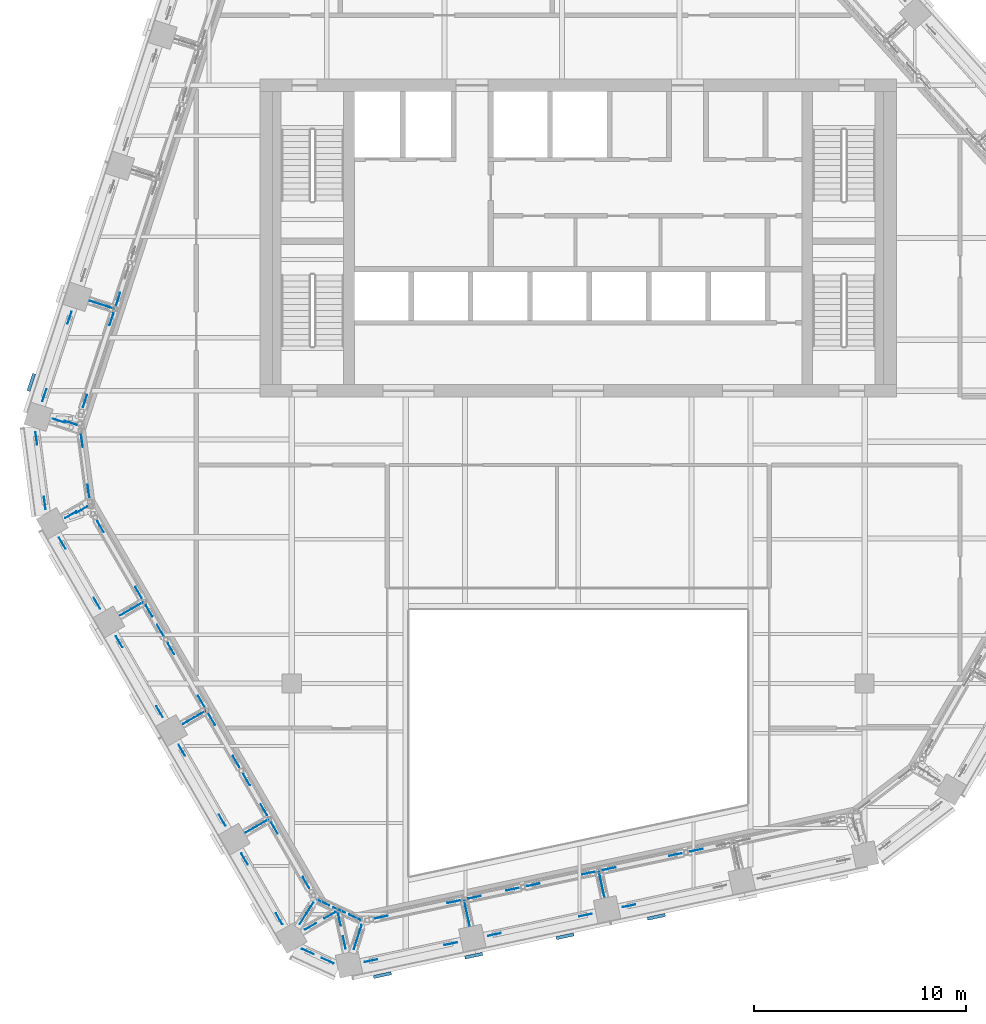
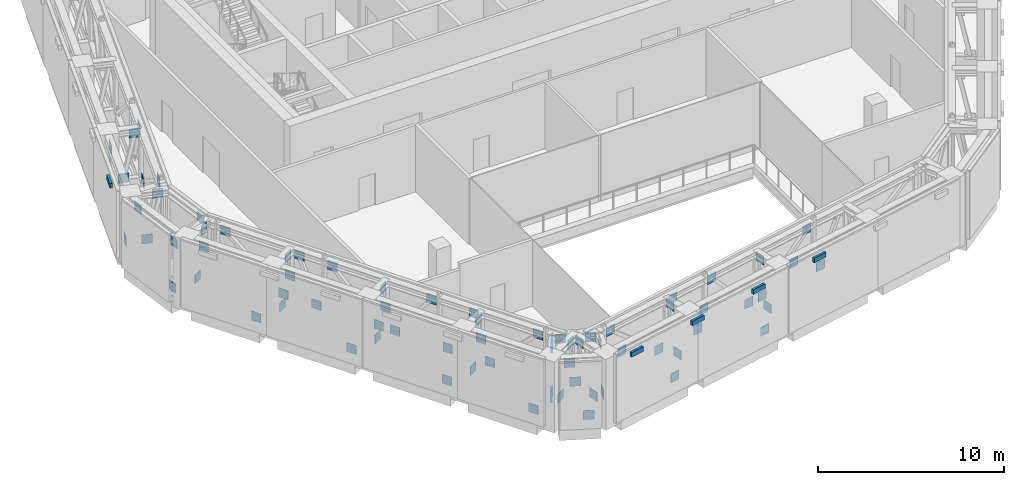
# One storey, part 20 of 25: 77 discrete accessories.
"""IFC4 building model written with IfcOpenShell, lengths in metres."""

from ifc_helpers import new_model, si_unit, direction, frame, origin, origin_2d, place, context, subcontext, project, spatial, rectangle, extrude, material, type_object, element, save


model = new_model("IFC4")

# Units and contexts
model_context = context("Model", 3, precision=1e-05, world=origin(), true_north=direction((0.0, 1.0)))
body_context = subcontext(model_context, "Body", "Model", "MODEL_VIEW")
ifc_project = project(units=[si_unit("LENGTHUNIT", "METRE"), si_unit("AREAUNIT", "SQUARE_METRE"), si_unit("VOLUMEUNIT", "CUBIC_METRE"), si_unit("PLANEANGLEUNIT", "RADIAN"), si_unit("MASSUNIT", "GRAM", prefix="KILO")], contexts=[model_context])

# Site, building, storey
site_placement = place(None, origin())
site = spatial("IfcSite", under=ifc_project, at=site_placement, CompositionType="ELEMENT")
building_placement = place(site_placement, origin())
building = spatial("IfcBuilding", under=site, at=building_placement, Name="Isthmus Gate Tower", CompositionType="ELEMENT")
storey_placement = place(building_placement, frame((0.0, 0.0, 256.449951171875)))
storey = spatial("IfcBuildingStorey", under=building, at=storey_placement, Name="L65", CompositionType="ELEMENT", Elevation=256.449951171875)

# Discrete accessories
ifc_material_1 = material(Name="Structural steel ASTM A572 Gr 50, white paint system", Category="steel")
discrete_accessory_type_1 = type_object("IfcDiscreteAccessoryType", Name="FIN BRACKET 855 X 150 X 300", PredefinedType="BRACKET", material=ifc_material_1)
for number, where, z_axis, x_axis, name in (
    (1, (-25.777099609375, 0.68994140625, 3.9501953125), (0.0, 0.0, 1.0), (-0.951056516295, 0.309016994375, 0.0), "FIN BRACKET"),
    (2, (-9.228271484375, -27.24267578125, 3.9501953125), (0.0, 0.0, 1.0), (0.207911690818, -0.978147600734, 0.0), "FIN BRACKET"),
    (3, (-4.92431640625, -26.327880859375, 3.9501953125), (0.0, 0.0, 1.0), (0.207911690818, -0.978147600734, 0.0), "FIN BRACKET"),
    (4, (-0.62060546875, -25.4130859375, 3.9501953125), (0.0, 0.0, 1.0), (0.207911690818, -0.978147600734, 0.0), "FIN BRACKET"),
    (5, (3.683349609375, -24.498291015625, 3.9501953125), (0.0, 0.0, 1.0), (0.207911690818, -0.978147600734, 0.0), "FIN BRACKET"),
):
    element("IfcDiscreteAccessory", number, at=place(storey_placement, frame(where, z_axis=z_axis, x_axis=x_axis)), inside=storey, type_object=discrete_accessory_type_1, Name=name, PredefinedType="BRACKET", context=body_context, shape_type="SweptSolid", body=[
        extrude(rectangle(XDim=0.14990234375, YDim=0.854736328125, at=origin_2d()), origin(), (0.0, 0.0, 1.0), 0.300048828125),
    ])
ifc_material_2 = material(Name="Structural steel ASTM A992 Gr 50", Category="steel")
discrete_accessory_type_2 = type_object("IfcDiscreteAccessoryType", Name="GUSSET PLATE 600 X 20", PredefinedType="USERDEFINED", material=ifc_material_2)
for number, where, z_axis, x_axis, name in (
    (6, (2.397216796875, -23.979248046875, 3.60546875), (0.0, 0.0, 1.0), (-0.978147600734, -0.207911690818, 0.0), "GUSSET PLATE"),
    (7, (0.34326171875, -24.415771484375, 0.14453125), (0.0, 0.0, 1.0), (-0.978147600734, -0.207911690818, 0.0), "GUSSET PLATE"),
    (8, (-3.95263671875, -25.3291015625, 3.60546875), (0.0, 0.0, 1.0), (-0.978147600734, -0.207911690818, 0.0), "GUSSET PLATE"),
    (9, (-6.0068359375, -25.765625, 0.14453125), (0.0, 0.0, 1.0), (-0.978147600734, -0.207911690818, 0.0), "GUSSET PLATE"),
    (10, (-9.764892578125, -26.564453125, 3.60546875), (0.0, 0.0, 1.0), (-0.978147600734, -0.207911690818, 0.0), "GUSSET PLATE"),
    (11, (-11.809326171875, -26.564453125, 0.14453125), (0.0, 0.0, 1.0), (-0.907256261367, 0.420578264073, 0.0), "GUSSET PLATE"),
    (12, (-12.741943359375, -26.13232421875, 3.60546875), (0.0, 0.0, 1.0), (-0.907256261367, 0.420578264073, 0.0), "GUSSET PLATE"),
    (13, (-14.092041015625, -24.592041015625, 0.14453125), (0.0, 0.0, 1.0), (-0.5, 0.866025403784, 0.0), "GUSSET PLATE"),
    (14, (-15.72216796875, -21.768310546875, 3.60546875), (0.0, 0.0, 1.0), (-0.5, 0.866025403784, 0.0), "GUSSET PLATE"),
    (15, (-16.772216796875, -19.949462890625, 0.14453125), (0.0, 0.0, 1.0), (-0.5, 0.866025403784, 0.0), "GUSSET PLATE"),
    (16, (-18.677490234375, -16.6494140625, 3.60546875), (0.0, 0.0, 1.0), (-0.5, 0.866025403784, 0.0), "GUSSET PLATE"),
    (17, (-19.7275390625, -14.830810546875, 0.14453125), (0.0, 0.0, 1.0), (-0.5, 0.866025403784, 0.0), "GUSSET PLATE"),
    (18, (-21.6328125, -11.53076171875, 3.60546875), (0.0, 0.0, 1.0), (-0.5, 0.866025403784, 0.0), "GUSSET PLATE"),
    (19, (-22.682861328125, -9.712158203125, 0.14453125), (0.0, 0.0, 1.0), (-0.5, 0.866025403784, 0.0), "GUSSET PLATE"),
    (20, (-24.313232421875, -6.888427734375, 3.60546875), (0.0, 0.0, 1.0), (-0.5, 0.866025403784, 0.0), "GUSSET PLATE"),
    (21, (-25.141845703125, -4.986083984375, 0.14453125), (0.0, 0.0, 1.0), (-0.129164534, 0.991623175988, 0.0), "GUSSET PLATE"),
    (22, (-25.537353515625, -1.948486328125, 3.60546875), (0.0, 0.0, 1.0), (-0.129164534, 0.991623175988, 0.0), "GUSSET PLATE"),
    (23, (-25.15869140625, 0.08544921875, 0.14453125), (0.0, 0.0, 1.0), (0.309016994375, 0.951056516295, 0.0), "GUSSET PLATE"),
    (24, (-23.971435546875, 3.739501953125, 3.60546875), (0.0, 0.0, 1.0), (0.309016994375, 0.951056516295, 0.0), "GUSSET PLATE"),
    (25, (-22.740478515625, 4.443359375, 0.68115234375), (0.0, 0.0, 1.0), (0.951056516295, -0.309016994375, 0.0), "GUSSET PLATE"),
    (26, (-22.169921875, 4.258056640625, 3.543701171875), (0.0, 0.0, 1.0), (0.951056516295, -0.309016994375, 0.0), "GUSSET PLATE"),
    (27, (-24.485595703125, -1.114013671875, 0.68115234375), (0.0, 0.0, 1.0), (0.951056516295, -0.309016994375, 0.0), "GUSSET PLATE"),
    (28, (-23.9111328125, -1.22412109375, 3.543701171875), (0.0, 0.0, 1.0), (0.951056516295, -0.309016994375, 0.0), "GUSSET PLATE"),
    (29, (-23.914794921875, -5.550537109375, 0.68115234375), (0.0, 0.0, 1.0), (0.866025403784, 0.5, 0.0), "GUSSET PLATE"),
    (30, (-23.40234375, -5.313720703125, 3.543701171875), (0.0, 0.0, 1.0), (0.866025403784, 0.5, 0.0), "GUSSET PLATE"),
    (31, (-21.3134765625, -10.134033203125, 0.68115234375), (0.0, 0.0, 1.0), (0.866025403784, 0.5, 0.0), "GUSSET PLATE"),
    (32, (-20.7939453125, -9.833984375, 3.543701171875), (0.0, 0.0, 1.0), (0.866025403784, 0.5, 0.0), "GUSSET PLATE"),
    (33, (-18.358154296875, -15.252685546875, 0.68115234375), (0.0, 0.0, 1.0), (0.866025403784, 0.5, 0.0), "GUSSET PLATE"),
    (34, (-17.838623046875, -14.95263671875, 3.543701171875), (0.0, 0.0, 1.0), (0.866025403784, 0.5, 0.0), "GUSSET PLATE"),
    (35, (-15.40283203125, -20.371337890625, 0.68115234375), (0.0, 0.0, 1.0), (0.866025403784, 0.5, 0.0), "GUSSET PLATE"),
    (36, (-14.88330078125, -20.0712890625, 3.543701171875), (0.0, 0.0, 1.0), (0.866025403784, 0.5, 0.0), "GUSSET PLATE"),
    (37, (-12.6142578125, -24.951171875, 0.68115234375), (0.0, 0.0, 1.0), (0.866025403784, 0.5, 0.0), "GUSSET PLATE"),
    (38, (-11.7021484375, -24.424560546875, 3.543701171875), (0.0, 0.0, 1.0), (0.866025403784, 0.5, 0.0), "GUSSET PLATE"),
    (39, (-11.0205078125, -25.706787109375, 0.68115234375), (0.0, 0.0, 1.0), (-0.207911690818, 0.978147600734, 0.0), "GUSSET PLATE"),
    (40, (-11.250732421875, -24.6240234375, 3.543701171875), (0.0, 0.0, 1.0), (-0.207911690818, 0.978147600734, 0.0), "GUSSET PLATE"),
    (41, (-5.177978515625, -24.614990234375, 0.68115234375), (0.0, 0.0, 1.0), (-0.207911690818, 0.978147600734, 0.0), "GUSSET PLATE"),
    (42, (-5.302734375, -24.028076171875, 3.543701171875), (0.0, 0.0, 1.0), (-0.207911690818, 0.978147600734, 0.0), "GUSSET PLATE"),
    (43, (1.172119140625, -23.265380859375, 0.68115234375), (0.0, 0.0, 1.0), (-0.207911690818, 0.978147600734, 0.0), "GUSSET PLATE"),
    (44, (1.04736328125, -22.678466796875, 3.543701171875), (0.0, 0.0, 1.0), (-0.207911690818, 0.978147600734, 0.0), "GUSSET PLATE"),
    (45, (-10.48095703125, -25.73876953125, 0.68115234375), (0.0, 0.0, 1.0), (0.307307987592, 0.951610109636, 0.0), "GUSSET PLATE"),
    (46, (-10.296630859375, -25.167724609375, 3.543701171875), (0.0, 0.0, 1.0), (0.307307987592, 0.951610109636, 0.0), "GUSSET PLATE"),
    (47, (-12.964111328125, -24.589599609375, 0.68115234375), (0.0, 0.0, 1.0), (0.533637555424, 0.845713284418, 0.0), "GUSSET PLATE"),
    (48, (-12.64404296875, -24.082275390625, 3.543701171875), (0.0, 0.0, 1.0), (0.533637555424, 0.845713284418, 0.0), "GUSSET PLATE"),
    (49, (5.568603515625, -21.356201171875, 0.68115234375), (0.0, 0.0, 1.0), (0.978147600734, 0.207911690818, 0.0), "GUSSET PLATE"),
    (50, (1.46337890625, -22.22900390625, 0.68115234375), (0.0, 0.0, 1.0), (0.978147600734, 0.207911690818, 0.0), "GUSSET PLATE"),
    (51, (4.590576171875, -21.564208984375, 3.543701171875), (0.0, 0.0, 1.0), (0.978147600734, 0.207911690818, 0.0), "GUSSET PLATE"),
    (52, (0.4853515625, -22.436767578125, 0.68115234375), (0.0, 0.0, 1.0), (-0.978147600734, -0.207911690818, 0.0), "GUSSET PLATE"),
    (53, (-2.11669921875, -22.98974609375, 3.543701171875), (0.0, 0.0, 1.0), (-0.978147600734, -0.207911690818, 0.0), "GUSSET PLATE"),
    (54, (-3.0947265625, -23.19775390625, 0.68115234375), (0.0, 0.0, 1.0), (-0.978147600734, -0.207911690818, 0.0), "GUSSET PLATE"),
    (55, (-4.88671875, -23.57861328125, 3.543701171875), (0.0, 0.0, 1.0), (-0.978147600734, -0.207911690818, 0.0), "GUSSET PLATE"),
    (56, (-5.864990234375, -23.78662109375, 0.68115234375), (0.0, 0.0, 1.0), (-0.978147600734, -0.207911690818, 0.0), "GUSSET PLATE"),
    (57, (-9.263916015625, -24.509033203125, 3.543701171875), (0.0, 0.0, 1.0), (-0.978147600734, -0.207911690818, 0.0), "GUSSET PLATE"),
    (58, (-11.26513671875, -24.176513671875, 0.68115234375), (0.0, 0.0, 1.0), (0.907256261367, -0.420578264073, 0.0), "GUSSET PLATE"),
    (59, (-10.525146484375, -24.51953125, 3.543701171875), (0.0, 0.0, 1.0), (0.907256261367, -0.420578264073, 0.0), "GUSSET PLATE"),
    (60, (-12.0048828125, -23.83349609375, 3.543701171875), (0.0, 0.0, 1.0), (-0.907256261367, 0.420578264073, 0.0), "GUSSET PLATE"),
    (61, (-14.30859375, -20.31689453125, 0.68115234375), (0.0, 0.0, 1.0), (0.5, -0.866025403784, 0.0), "GUSSET PLATE"),
    (62, (-12.828125, -22.881103515625, 3.543701171875), (0.0, 0.0, 1.0), (0.5, -0.866025403784, 0.0), "GUSSET PLATE"),
    (63, (-15.6240234375, -18.038330078125, 0.68115234375), (0.0, 0.0, 1.0), (0.5, -0.866025403784, 0.0), "GUSSET PLATE"),
    (64, (-14.80859375, -19.450927734375, 3.543701171875), (0.0, 0.0, 1.0), (0.5, -0.866025403784, 0.0), "GUSSET PLATE"),
    (65, (-17.263916015625, -15.19775390625, 0.68115234375), (0.0, 0.0, 1.0), (0.5, -0.866025403784, 0.0), "GUSSET PLATE"),
    (66, (-16.1240234375, -17.17236328125, 3.543701171875), (0.0, 0.0, 1.0), (0.5, -0.866025403784, 0.0), "GUSSET PLATE"),
    (67, (-17.763916015625, -14.331787109375, 0.68115234375), (0.0, 0.0, 1.0), (-0.5, 0.866025403784, 0.0), "GUSSET PLATE"),
    (68, (-19.19140625, -11.859375, 3.543701171875), (0.0, 0.0, 1.0), (-0.5, 0.866025403784, 0.0), "GUSSET PLATE"),
    (69, (-19.69140625, -10.9931640625, 0.68115234375), (0.0, 0.0, 1.0), (-0.5, 0.866025403784, 0.0), "GUSSET PLATE"),
    (70, (-20.218994140625, -10.07958984375, 3.543701171875), (0.0, 0.0, 1.0), (-0.5, 0.866025403784, 0.0), "GUSSET PLATE"),
    (71, (-20.718994140625, -9.213623046875, 0.68115234375), (0.0, 0.0, 1.0), (-0.5, 0.866025403784, 0.0), "GUSSET PLATE"),
    (72, (-22.513427734375, -6.10546875, 3.543701171875), (0.0, 0.0, 1.0), (-0.5, 0.866025403784, 0.0), "GUSSET PLATE"),
    (73, (-23.387939453125, -2.068359375, 0.68115234375), (0.0, 0.0, 1.0), (0.129164534, -0.991623175988, 0.0), "GUSSET PLATE"),
    (74, (-23.080078125, -4.431396484375, 3.543701171875), (0.0, 0.0, 1.0), (0.129164534, -0.991623175988, 0.0), "GUSSET PLATE"),
    (75, (-21.98828125, 3.673828125, 0.68115234375), (0.0, 0.0, 1.0), (-0.309016994375, -0.951056516295, 0.0), "GUSSET PLATE"),
    (76, (-23.2431640625, -0.1884765625, 3.543701171875), (0.0, 0.0, 1.0), (-0.309016994375, -0.951056516295, 0.0), "GUSSET PLATE"),
    (77, (-21.67919921875, 4.624755859375, 3.543701171875), (0.0, 0.0, 1.0), (-0.309016994375, -0.951056516295, 0.0), "GUSSET PLATE"),
):
    element("IfcDiscreteAccessory", number, at=place(storey_placement, frame(where, z_axis=z_axis, x_axis=x_axis)), inside=storey, type_object=discrete_accessory_type_2, Name=name, ObjectType="GUSSET PLATE", PredefinedType="USERDEFINED", context=body_context, shape_type="SweptSolid", body=[
        extrude(rectangle(XDim=0.60009765625, YDim=0.02001953125, at=origin_2d()), origin(), (0.0, 0.0, 1.0), 0.60009765625),
    ])

save(model, "model.ifc")
